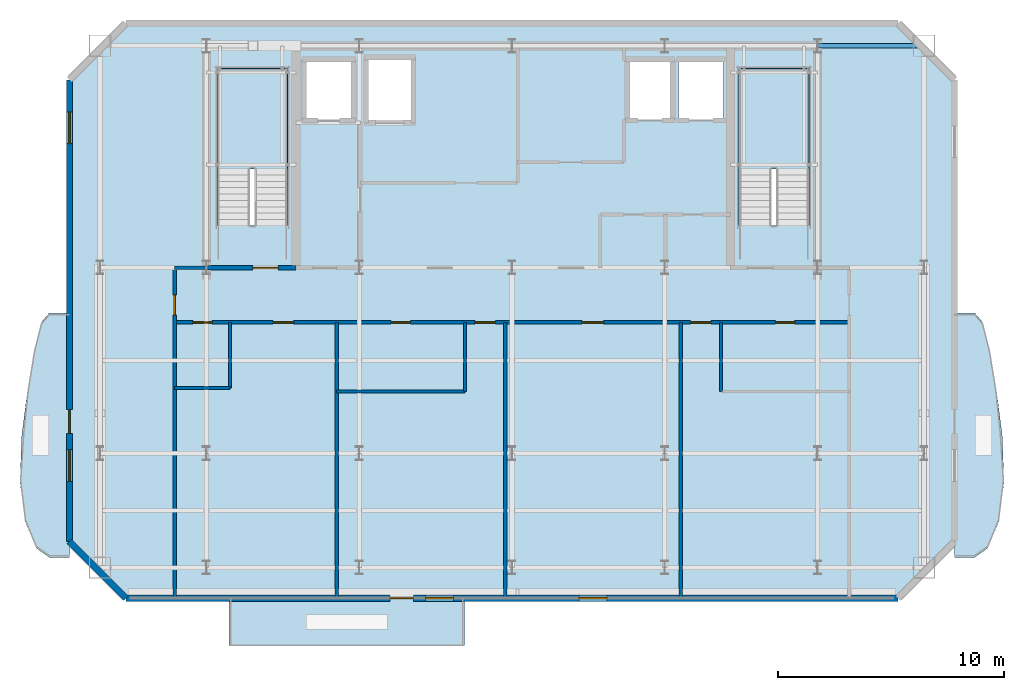
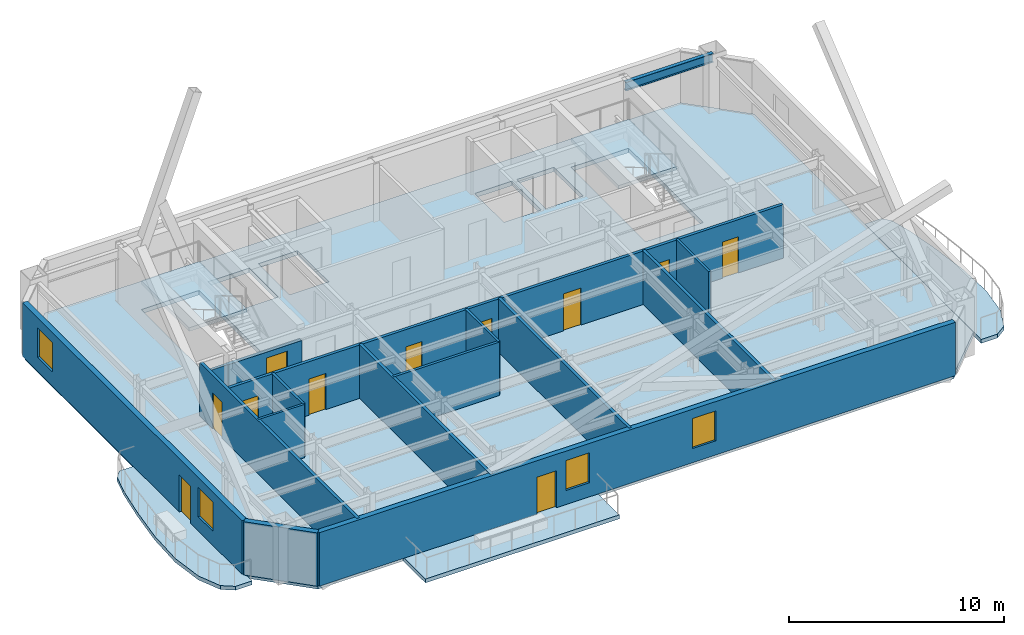
# One storey, part 2 of 7: 15 walls, 11 doors, 6 slabs, 4 windows, 1 beam, 15 openings, 2 elements without a shape of their own.
"""IFC4 building model written with IfcOpenShell, lengths in metres."""

from ifc_helpers import new_model, si_unit, direction, frame, frame_2d, origin, origin_2d, place, context, subcontext, project, spatial, polyline, rectangle, i_section, outline, extrude, material, layer, layer_set, material_profile, profile_set, type_object, element, fill, aggregate, save


model = new_model("IFC4")

# Units and contexts
model_context = context("Model", 3, precision=1e-05, world=origin(), true_north=direction((0.0, 1.0)))
body_context = subcontext(model_context, "Body", "Model", "MODEL_VIEW")
ifc_project = project(units=[si_unit("LENGTHUNIT", "METRE"), si_unit("AREAUNIT", "SQUARE_METRE"), si_unit("VOLUMEUNIT", "CUBIC_METRE"), si_unit("PLANEANGLEUNIT", "RADIAN"), si_unit("MASSUNIT", "GRAM", prefix="KILO")], contexts=[model_context])

# Site, building, storey
site_placement = place(None, origin())
site = spatial("IfcSite", under=ifc_project, at=site_placement, CompositionType="ELEMENT")
building_placement = place(site_placement, origin())
building = spatial("IfcBuilding", under=site, at=building_placement, Name="Haevon Station Towers", CompositionType="ELEMENT")
storey_placement = place(building_placement, frame((0.0, 0.0, 259.199951171875)))
storey = spatial("IfcBuildingStorey", under=building, at=storey_placement, Name="L72", CompositionType="ELEMENT", Elevation=259.199951171875)

# Beam
ifc_material_1 = material(Name="Steel S355", Category="steel")
ifc_material_profile = material_profile(ifc_material_1, i_section(OverallWidth=0.199951171875, OverallDepth=0.5, WebThickness=0.010009765625, FlangeThickness=0.01611328125, at=origin_2d()), Name="H-500x200x10x16")
ifc_profile_set = profile_set([ifc_material_profile], Name="Steel S355")
beam_type = type_object("IfcBeamType", Name="BM-SP500", PredefinedType="SPANDREL", material=ifc_profile_set)
beam_placement = place(storey_placement, frame((51.0, 48.0, 2.800048828125), z_axis=(1.0, 0.0, 0.0), x_axis=(0.0, 1.0, 0.0)))
element("IfcBeam", 1, at=beam_placement, inside=storey, type_object=beam_type, Name="BM-T1U-L72-04-06", PredefinedType="SPANDREL", context=body_context, shape_type="SweptSolid", body=[
    extrude(i_section(OverallWidth=0.199951171875, OverallDepth=0.5, WebThickness=0.010009765625, FlangeThickness=0.01611328125, at=origin_2d()), origin(), (0.0, 0.0, 1.0), 4.699951171875),
])

# Slabs
ifc_material_2 = material(Name="Concrete C40/50", Category="concrete")
ifc_layer_1 = layer(ifc_material_2, 0.219970703125)
ifc_layer_set_1 = layer_set([ifc_layer_1], Name="Concrete C40/50")
slab_type_1 = type_object("IfcSlabType", Name="SL-BALC220", PredefinedType="FLOOR", material=ifc_layer_set_1)
slab_1_placement = place(storey_placement, frame((0.0, 0.0, -0.219970703125)))
element("IfcSlab", 2, at=slab_1_placement, inside=storey, type_object=slab_type_1, Name="Tower 1 L72 West SCALLOPED BALCONY", PredefinedType="FLOOR", context=body_context, shape_type="SweptSolid", body=[
    extrude(outline(polyline([(17.945068359375, 36.199951171875), (17.06298828125, 36.199951171875), (16.712158203125, 35.7890625), (16.412353515625, 34.618408203125), (16.109130859375, 32.866455078125), (15.844970703125, 30.800048828125), (15.76611328125, 28.7333984375), (15.9912109375, 26.981689453125), (16.481689453125, 25.81103515625), (17.06298828125, 25.39990234375), (17.945068359375, 25.39990234375), (17.945068359375, 36.199951171875)])), origin(), (0.0, 0.0, 1.0), 0.219970703125),
])
slab_2_placement = place(storey_placement, frame((0.0, 0.0, -0.219970703125)))
element("IfcSlab", 3, at=slab_2_placement, inside=storey, type_object=slab_type_1, Name="Tower 1 L72 East SCALLOPED BALCONY", PredefinedType="FLOOR", context=body_context, shape_type="SweptSolid", body=[
    extrude(outline(polyline([(57.054931640625, 25.39990234375), (57.93701171875, 25.39990234375), (58.518310546875, 25.81103515625), (59.0087890625, 26.981689453125), (59.23388671875, 28.7333984375), (59.155029296875, 30.800048828125), (58.890869140625, 32.866455078125), (58.587646484375, 34.618408203125), (58.287841796875, 35.7890625), (57.93701171875, 36.199951171875), (57.054931640625, 36.199951171875), (57.054931640625, 25.39990234375)])), origin(), (0.0, 0.0, 1.0), 0.219970703125),
])
slab_3_placement = place(storey_placement, frame((0.0, 0.0, -0.219970703125)))
element("IfcSlab", 4, at=slab_3_placement, inside=storey, type_object=slab_type_1, Name="Tower 1 L72 Planted Balcony Band", PredefinedType="FLOOR", context=body_context, shape_type="SweptSolid", body=[
    extrude(outline(polyline([(25.0, 21.5), (35.39990234375, 21.5), (35.39990234375, 23.594970703125), (25.0, 23.594970703125), (25.0, 21.5)])), origin(), (0.0, 0.0, 1.0), 0.219970703125),
])

# Stair, slab
stair_type = type_object("IfcStairType", Name="STR-DL1450", PredefinedType="USERDEFINED", material=ifc_material_2)
stair_1_placement = place(storey_placement, origin())
stair_1 = element("IfcStair", 5, at=stair_1_placement, inside=storey, type_object=stair_type, Name="L72 Escape Stair ST1", ObjectType="TWO_RETURN_STAIR", PredefinedType="USERDEFINED")
ifc_layer_2 = layer(ifc_material_2, 0.199951171875)
ifc_layer_set_2 = layer_set([ifc_layer_2], Name="Concrete C40/50")
slab_type_2 = type_object("IfcSlabType", Name="SL-LND200", PredefinedType="LANDING", material=ifc_layer_set_2)
slab_4_placement = place(storey_placement, frame((0.0, 0.0, 1.449951171875)))
slab_4 = element("IfcSlab", 6, at=slab_4_placement, type_object=slab_type_2, Name="L72 ST1 Half Landing 1", PredefinedType="LANDING", context=body_context, shape_type="SweptSolid", body=[
    extrude(outline(polyline([(27.580078125, 42.56396484375), (27.580078125, 47.0), (24.47998046875, 47.0), (24.47998046875, 42.56396484375), (27.580078125, 42.56396484375)])), origin(), (0.0, 0.0, 1.0), 0.2001953125),
])
aggregate(stair_1, [slab_4])

stair_2_placement = place(storey_placement, origin())
stair_2 = element("IfcStair", 7, at=stair_2_placement, inside=storey, type_object=stair_type, Name="L72 Escape Stair ST2", ObjectType="TWO_RETURN_STAIR", PredefinedType="USERDEFINED")
slab_5_placement = place(storey_placement, frame((0.0, 0.0, 1.449951171875)))
slab_5 = element("IfcSlab", 8, at=slab_5_placement, type_object=slab_type_2, Name="L72 ST2 Half Landing 1", PredefinedType="LANDING", context=body_context, shape_type="SweptSolid", body=[
    extrude(outline(polyline([(50.6201171875, 42.56396484375), (50.6201171875, 47.0), (47.52001953125, 47.0), (47.52001953125, 42.56396484375), (50.6201171875, 42.56396484375)])), origin(), (0.0, 0.0, 1.0), 0.2001953125),
])
aggregate(stair_2, [slab_5])

# Slab
ifc_layer_3 = layer(ifc_material_2, 0.25)
ifc_layer_set_3 = layer_set([ifc_layer_3], Name="Concrete C40/50")
slab_type_3 = type_object("IfcSlabType", Name="SL-TW250", PredefinedType="FLOOR", material=ifc_layer_set_3)
slab_6_placement = place(storey_placement, frame((0.0, 0.0, -0.25)))
element("IfcSlab", 9, at=slab_6_placement, inside=storey, type_object=slab_type_3, Name="SL-T1-L72", PredefinedType="FLOOR", context=body_context, shape_type="SweptSolid", body=[
    extrude(outline(polyline([(20.449951171875, 23.60009765625), (54.550048828125, 23.60009765625), (57.050048828125, 26.10009765625), (57.050048828125, 46.5), (54.550048828125, 49.0), (20.449951171875, 49.0), (17.949951171875, 46.5), (17.949951171875, 26.10009765625), (20.449951171875, 23.60009765625)]), holes=[polyline([(27.580078125, 40.055908203125), (27.580078125, 47.0), (24.47998046875, 47.0), (24.47998046875, 40.055908203125), (27.580078125, 40.055908203125)]), polyline([(50.6201171875, 40.055908203125), (50.6201171875, 47.0), (47.52001953125, 47.0), (47.52001953125, 40.055908203125), (50.6201171875, 40.055908203125)]), polyline([(28.300048828125, 44.699951171875), (30.5, 44.699951171875), (30.5, 47.39990234375), (28.300048828125, 47.39990234375), (28.300048828125, 44.699951171875)]), polyline([(31.050048828125, 44.60009765625), (33.14990234375, 44.60009765625), (33.14990234375, 47.5), (31.050048828125, 47.5), (31.050048828125, 44.60009765625)]), polyline([(42.60009765625, 44.699951171875), (44.60009765625, 44.699951171875), (44.60009765625, 47.39990234375), (42.60009765625, 47.39990234375), (42.60009765625, 44.699951171875)]), polyline([(44.85009765625, 44.699951171875), (46.85009765625, 44.699951171875), (46.85009765625, 47.39990234375), (44.85009765625, 47.39990234375), (44.85009765625, 44.699951171875)])]), origin(), (0.0, 0.0, 1.0), 0.25),
])

# Wall, opening, door
ifc_material_3 = material(Name="Gypsum board on steel stud", Category="steel")
ifc_layer_4 = layer(ifc_material_3, 0.199951171875)
ifc_layer_set_4 = layer_set([ifc_layer_4], Name="Gypsum board on steel stud")
wall_type_1 = type_object("IfcWallType", Name="WL-COR200", PredefinedType="PARTITIONING", material=ifc_layer_set_4)
wall_1_placement = place(storey_placement, frame((24.0, 38.199951171875, 0.0), z_axis=(0.0, 0.0, 1.0), x_axis=(1.0, 0.0, 0.0)))
wall_1 = element("IfcWall", 10, at=wall_1_placement, inside=storey, type_object=wall_type_1, Name="WL-ST-ST1-L72", PredefinedType="PARTITIONING", context=body_context, shape_type="SweptSolid", body=[
    extrude(rectangle(XDim=3.949951171875, YDim=0.199951171875, at=frame_2d((1.97509765625, 0.0))), origin(), (0.0, 0.0, 1.0), 2.429931640625),
])
opening_1_placement = place(wall_1_placement, frame((2.050048828125, 0.0, 0.0)))
opening_1 = element("IfcOpeningElement", 11, at=opening_1_placement, cuts=wall_1, Name="Opening DR-ST-ST1-L72", PredefinedType="OPENING", context=body_context, shape_type="SweptSolid", body=[
    extrude(rectangle(XDim=1.1201171875, YDim=2.10009765625, at=frame_2d((0.56005859375, 1.050048828125))), frame((0.0, 0.10986328125, 0.0), z_axis=(0.0, -1.0, 0.0), x_axis=(1.0, 0.0, 0.0)), (0.0, 0.0, 1.0), 0.219970703125),
])
ifc_material_4 = material(Name="Engineered oak timber", Category="wood")
door_type_1 = type_object("IfcDoorType", Name="DR-ST-1120", OperationType="NOTDEFINED", PredefinedType="DOOR", material=ifc_material_4)
door_1_placement = place(opening_1_placement, origin())
door_1 = element("IfcDoor", 12, at=door_1_placement, inside=storey, type_object=door_type_1, Name="L72 Escape Stair ST1 Fire Door", OperationType="SINGLE_SWING_RIGHT", OverallHeight=2.10009765625, OverallWidth=1.1201171875, PredefinedType="DOOR", context=body_context, shape_type="SweptSolid", body=[
    extrude(rectangle(XDim=1.1201171875, YDim=2.10009765625, at=frame_2d((0.56005859375, 1.050048828125))), frame((0.0, 0.02490234375, 0.0), z_axis=(0.0, -1.0, 0.0), x_axis=(1.0, 0.0, 0.0)), (0.0, 0.0, 1.0), 0.050048828125),
])
fill(opening_1, door_1)

# Wall, openings, door, windows
ifc_material_5 = material(Name="Precast concrete C45/55", Category="concrete")
ifc_layer_5 = layer(ifc_material_5, 0.280029296875)
ifc_layer_set_5 = layer_set([ifc_layer_5], Name="Precast concrete C45/55")
wall_type_2 = type_object("IfcWallType", Name="WL-EXT-PIER280", PredefinedType="SOLIDWALL", material=ifc_layer_set_5)
wall_2_placement = place(storey_placement, frame((54.550048828125, 23.60009765625, 0.0), z_axis=(0.0, 0.0, 1.0), x_axis=(-1.0, 0.0, 0.0)))
wall_2 = element("IfcWall", 13, at=wall_2_placement, inside=storey, type_object=wall_type_2, Name="WL-T1-L72-S", PredefinedType="SOLIDWALL", context=body_context, shape_type="SweptSolid", body=[
    extrude(rectangle(XDim=34.10009765625, YDim=0.280029296875, at=frame_2d((17.050048828125, 0.0))), origin(), (0.0, 0.0, 1.0), 3.030029296875),
])
opening_2_placement = place(wall_2_placement, frame((21.39892578125, 0.0, 0.0)))
opening_2 = element("IfcOpeningElement", 14, at=opening_2_placement, cuts=wall_2, Name="Opening DR-T1-PBAND-L72-1", PredefinedType="OPENING", context=body_context, shape_type="SweptSolid", body=[
    extrude(rectangle(XDim=1.050048828125, YDim=2.10009765625, at=frame_2d((0.52490234375, 1.050048828125))), frame((0.0, 0.14990234375, 0.0), z_axis=(0.0, -1.0, 0.0), x_axis=(1.0, 0.0, 0.0)), (0.0, 0.0, 1.0), 0.300048828125),
])
opening_3_placement = place(wall_2_placement, frame((19.632080078125, 0.0, 0.800048828125)))
opening_3 = element("IfcOpeningElement", 15, at=opening_3_placement, cuts=wall_2, Name="Opening WN-P125", PredefinedType="OPENING", context=body_context, shape_type="SweptSolid", body=[
    extrude(rectangle(XDim=1.25, YDim=1.699951171875, at=frame_2d((0.625, 0.85009765625))), frame((0.0, 0.14990234375, 0.0), z_axis=(0.0, -1.0, 0.0), x_axis=(1.0, 0.0, 0.0)), (0.0, 0.0, 1.0), 0.300048828125),
])
opening_4_placement = place(wall_2_placement, frame((12.84912109375, 0.0, 0.800048828125)))
opening_4 = element("IfcOpeningElement", 16, at=opening_4_placement, cuts=wall_2, Name="Opening WN-P125", PredefinedType="OPENING", context=body_context, shape_type="SweptSolid", body=[
    extrude(rectangle(XDim=1.25, YDim=1.699951171875, at=frame_2d((0.625, 0.85009765625))), frame((0.0, 0.14990234375, 0.0), z_axis=(0.0, -1.0, 0.0), x_axis=(1.0, 0.0, 0.0)), (0.0, 0.0, 1.0), 0.300048828125),
])
ifc_material_6 = material(Name="Thermally broken anodised aluminium and laminated safety glass", Category="aluminium")
door_type_2 = type_object("IfcDoorType", Name="DR-BALC-1050", OperationType="NOTDEFINED", PredefinedType="DOOR", material=ifc_material_6)
door_2_placement = place(opening_2_placement, origin())
door_2 = element("IfcDoor", 17, at=door_2_placement, inside=storey, type_object=door_type_2, Name="Tower 1 L72 Balcony Terrace Door", OperationType="SINGLE_SWING_RIGHT", OverallHeight=2.10009765625, OverallWidth=1.050048828125, PredefinedType="DOOR", context=body_context, shape_type="SweptSolid", body=[
    extrude(rectangle(XDim=1.050048828125, YDim=2.10009765625, at=frame_2d((0.52490234375, 1.050048828125))), frame((0.0, 0.02490234375, 0.0), z_axis=(0.0, -1.0, 0.0), x_axis=(1.0, 0.0, 0.0)), (0.0, 0.0, 1.0), 0.050048828125),
])
fill(opening_2, door_2)
ifc_material_7 = material(Name="Low-E triple glazing in thermally broken aluminium", Category="aluminium")
window_type_1 = type_object("IfcWindowType", Name="WN-P125", PartitioningType="SINGLE_PANEL", PredefinedType="WINDOW", material=ifc_material_7)
window_1_placement = place(opening_3_placement, origin())
window_1 = element("IfcWindow", 18, at=window_1_placement, inside=storey, type_object=window_type_1, Name="WN-T1-L72-S01", OverallHeight=1.699951171875, OverallWidth=1.25, PartitioningType="SINGLE_PANEL", PredefinedType="WINDOW", context=body_context, shape_type="SweptSolid", body=[
    extrude(rectangle(XDim=1.25, YDim=1.699951171875, at=frame_2d((0.625, 0.85009765625))), frame((0.0, 0.030029296875, 0.0), z_axis=(0.0, -1.0, 0.0), x_axis=(1.0, 0.0, 0.0)), (0.0, 0.0, 1.0), 0.06005859375),
])
fill(opening_3, window_1)
window_2_placement = place(opening_4_placement, origin())
window_2 = element("IfcWindow", 19, at=window_2_placement, inside=storey, type_object=window_type_1, Name="WN-T1-L72-S02", OverallHeight=1.699951171875, OverallWidth=1.25, PartitioningType="SINGLE_PANEL", PredefinedType="WINDOW", context=body_context, shape_type="SweptSolid", body=[
    extrude(rectangle(XDim=1.25, YDim=1.699951171875, at=frame_2d((0.625, 0.85009765625))), frame((0.0, 0.030029296875, 0.0), z_axis=(0.0, -1.0, 0.0), x_axis=(1.0, 0.0, 0.0)), (0.0, 0.0, 1.0), 0.06005859375),
])
fill(opening_4, window_2)

# Wall
wall_3_placement = place(storey_placement, frame((20.449951171875, 23.60009765625, 0.0), z_axis=(0.0, 0.0, 1.0), x_axis=(-0.707106781187, 0.707106781187, 0.0)))
element("IfcWall", 20, at=wall_3_placement, inside=storey, type_object=wall_type_2, Name="WL-T1-L72-SWC", PredefinedType="SOLIDWALL", context=body_context, shape_type="SweptSolid", body=[
    extrude(rectangle(XDim=3.53564453125, YDim=0.280029296875, at=frame_2d((1.767822265625, 0.0))), origin(), (0.0, 0.0, 1.0), 3.030029296875),
])

# Wall, openings, door, windows
wall_4_placement = place(storey_placement, frame((17.949951171875, 26.10009765625, 0.0), z_axis=(0.0, 0.0, 1.0), x_axis=(0.0, 1.0, 0.0)))
wall_4 = element("IfcWall", 21, at=wall_4_placement, inside=storey, type_object=wall_type_2, Name="WL-T1-L72-W", PredefinedType="SOLIDWALL", context=body_context, shape_type="SweptSolid", body=[
    extrude(rectangle(XDim=20.39990234375, YDim=0.280029296875, at=frame_2d((10.199951171875, 0.0))), origin(), (0.0, 0.0, 1.0), 3.030029296875),
])
opening_5_placement = place(wall_4_placement, frame((4.77490234375, 0.0, 0.0)))
opening_5 = element("IfcOpeningElement", 22, at=opening_5_placement, cuts=wall_4, Name="Opening DR-T1-SCAL-L72-W", PredefinedType="OPENING", context=body_context, shape_type="SweptSolid", body=[
    extrude(rectangle(XDim=1.050048828125, YDim=2.10009765625, at=frame_2d((0.52490234375, 1.050048828125))), frame((0.0, 0.14990234375, 0.0), z_axis=(0.0, -1.0, 0.0), x_axis=(1.0, 0.0, 0.0)), (0.0, 0.0, 1.0), 0.300048828125),
])
opening_6_placement = place(wall_4_placement, frame((2.664306640625, 0.0, 0.800048828125)))
opening_6 = element("IfcOpeningElement", 23, at=opening_6_placement, cuts=wall_4, Name="Opening WN-END140", PredefinedType="OPENING", context=body_context, shape_type="SweptSolid", body=[
    extrude(rectangle(XDim=1.39990234375, YDim=1.64990234375, at=frame_2d((0.699951171875, 0.824951171875))), frame((0.0, 0.14990234375, 0.0), z_axis=(0.0, -1.0, 0.0), x_axis=(1.0, 0.0, 0.0)), (0.0, 0.0, 1.0), 0.300048828125),
])
opening_7_placement = place(wall_4_placement, frame((17.57861328125, 0.0, 0.800048828125)))
opening_7 = element("IfcOpeningElement", 24, at=opening_7_placement, cuts=wall_4, Name="Opening WN-END140", PredefinedType="OPENING", context=body_context, shape_type="SweptSolid", body=[
    extrude(rectangle(XDim=1.39990234375, YDim=1.64990234375, at=frame_2d((0.699951171875, 0.824951171875))), frame((0.0, 0.14990234375, 0.0), z_axis=(0.0, -1.0, 0.0), x_axis=(1.0, 0.0, 0.0)), (0.0, 0.0, 1.0), 0.300048828125),
])
door_3_placement = place(opening_5_placement, origin())
door_3 = element("IfcDoor", 25, at=door_3_placement, inside=storey, type_object=door_type_2, Name="Tower 1 L72 West Scalloped Balcony Door", OperationType="SINGLE_SWING_LEFT", OverallHeight=2.10009765625, OverallWidth=1.050048828125, PredefinedType="DOOR", context=body_context, shape_type="SweptSolid", body=[
    extrude(rectangle(XDim=1.050048828125, YDim=2.10009765625, at=frame_2d((0.52490234375, 1.050048828125))), frame((0.0, 0.02490234375, 0.0), z_axis=(0.0, -1.0, 0.0), x_axis=(1.0, 0.0, 0.0)), (0.0, 0.0, 1.0), 0.050048828125),
])
fill(opening_5, door_3)
window_type_2 = type_object("IfcWindowType", Name="WN-END140", PartitioningType="SINGLE_PANEL", PredefinedType="WINDOW", material=ifc_material_7)
window_3_placement = place(opening_6_placement, origin())
window_3 = element("IfcWindow", 26, at=window_3_placement, inside=storey, type_object=window_type_2, Name="WN-T1-L72-W01", OverallHeight=1.64990234375, OverallWidth=1.39990234375, PartitioningType="SINGLE_PANEL", PredefinedType="WINDOW", context=body_context, shape_type="SweptSolid", body=[
    extrude(rectangle(XDim=1.39990234375, YDim=1.64990234375, at=frame_2d((0.699951171875, 0.824951171875))), frame((0.0, 0.030029296875, 0.0), z_axis=(0.0, -1.0, 0.0), x_axis=(1.0, 0.0, 0.0)), (0.0, 0.0, 1.0), 0.06005859375),
])
fill(opening_6, window_3)
window_4_placement = place(opening_7_placement, origin())
window_4 = element("IfcWindow", 27, at=window_4_placement, inside=storey, type_object=window_type_2, Name="WN-T1-L72-W02", OverallHeight=1.64990234375, OverallWidth=1.39990234375, PartitioningType="SINGLE_PANEL", PredefinedType="WINDOW", context=body_context, shape_type="SweptSolid", body=[
    extrude(rectangle(XDim=1.39990234375, YDim=1.64990234375, at=frame_2d((0.699951171875, 0.824951171875))), frame((0.0, 0.030029296875, 0.0), z_axis=(0.0, -1.0, 0.0), x_axis=(1.0, 0.0, 0.0)), (0.0, 0.0, 1.0), 0.06005859375),
])
fill(opening_7, window_4)

# Walls
ifc_layer_6 = layer(ifc_material_3, 0.125)
ifc_layer_set_6 = layer_set([ifc_layer_6], Name="Gypsum board on steel stud")
wall_type_3 = type_object("IfcWallType", Name="WL-PRT125", PredefinedType="PARTITIONING", material=ifc_layer_set_6)
wall_5_placement = place(storey_placement, frame((22.60009765625, 32.8798828125, 0.0), z_axis=(0.0, 0.0, 1.0), x_axis=(1.0, 0.0, 0.0)))
element("IfcWall", 28, at=wall_5_placement, inside=storey, type_object=wall_type_3, Name="WL-T1PT-L72-05", PredefinedType="PARTITIONING", context=body_context, shape_type="SweptSolid", body=[
    extrude(rectangle(XDim=2.449951171875, YDim=0.125, at=frame_2d((1.22509765625, 0.0))), origin(), (0.0, 0.0, 1.0), 3.030029296875),
])
for number, where, z_axis, x_axis, name in (
    (29, (35.422119140625, 32.72998046875, 0.0), (0.0, 0.0, 1.0), (0.0, 1.0, 0.0), "WL-T1PT-L72-09"),
    (30, (46.72998046875, 32.72998046875, 0.0), (0.0, 0.0, 1.0), (0.0, 1.0, 0.0), "WL-T1PT-L72-13"),
):
    element("IfcWall", number, at=place(storey_placement, frame(where, z_axis=z_axis, x_axis=x_axis)), inside=storey, type_object=wall_type_3, Name=name, PredefinedType="PARTITIONING", context=body_context, shape_type="SweptSolid", body=[
        extrude(rectangle(XDim=3.050048828125, YDim=0.125, at=frame_2d((1.52490234375, 0.0))), origin(), (0.0, 0.0, 1.0), 3.030029296875),
    ])
ifc_layer_7 = layer(ifc_material_3, 0.139892578125)
ifc_layer_set_7 = layer_set([ifc_layer_7], Name="Gypsum board on steel stud")
wall_type_4 = type_object("IfcWallType", Name="WL-PRT140", PredefinedType="PARTITIONING", material=ifc_layer_set_7)
wall_6_placement = place(storey_placement, frame((25.050048828125, 32.8798828125, 0.0), z_axis=(0.0, 0.0, 1.0), x_axis=(0.0, 1.0, 0.0)))
element("IfcWall", 31, at=wall_6_placement, inside=storey, type_object=wall_type_4, Name="WL-T1PT-L72-06", PredefinedType="PARTITIONING", context=body_context, shape_type="SweptSolid", body=[
    extrude(rectangle(XDim=2.900146484375, YDim=0.139892578125, at=frame_2d((1.4501953125, 0.0))), origin(), (0.0, 0.0, 1.0), 3.030029296875),
])
wall_7_placement = place(storey_placement, frame((29.751953125, 32.72998046875, 0.0), z_axis=(0.0, 0.0, 1.0), x_axis=(1.0, 0.0, 0.0)))
element("IfcWall", 32, at=wall_7_placement, inside=storey, type_object=wall_type_4, Name="WL-T1PT-L72-08", PredefinedType="PARTITIONING", context=body_context, shape_type="SweptSolid", body=[
    extrude(rectangle(XDim=5.670166015625, YDim=0.139892578125, at=frame_2d((2.8349609375, 0.0))), origin(), (0.0, 0.0, 1.0), 3.030029296875),
])
ifc_layer_8 = layer(ifc_material_3, 0.159912109375)
ifc_layer_set_8 = layer_set([ifc_layer_8], Name="Gypsum board on steel stud")
wall_type_5 = type_object("IfcWallType", Name="WL-PRT160", PredefinedType="PARTITIONING", material=ifc_layer_set_8)
wall_8_placement = place(storey_placement, frame((22.60009765625, 38.199951171875, 0.0), z_axis=(0.0, 0.0, 1.0), x_axis=(1.0, 0.0, 0.0)))
element("IfcWall", 33, at=wall_8_placement, inside=storey, type_object=wall_type_5, Name="WL-T1PT-L72-01", PredefinedType="PARTITIONING", context=body_context, shape_type="SweptSolid", body=[
    extrude(rectangle(XDim=1.39990234375, YDim=0.159912109375, at=frame_2d((0.699951171875, 0.0))), origin(), (0.0, 0.0, 1.0), 2.429931640625),
])

# Wall, opening, door
wall_9_placement = place(storey_placement, frame((22.60009765625, 23.60009765625, 0.0), z_axis=(0.0, 0.0, 1.0), x_axis=(0.0, 1.0, 0.0)))
wall_9 = element("IfcWall", 34, at=wall_9_placement, inside=storey, type_object=wall_type_5, Name="WL-T1PT-L72-03", PredefinedType="PARTITIONING", context=body_context, shape_type="SweptSolid", body=[
    extrude(rectangle(XDim=14.599853515625, YDim=0.159912109375, at=frame_2d((7.2998046875, 0.0))), origin(), (0.0, 0.0, 1.0), 3.030029296875),
])
opening_8_placement = place(wall_9_placement, frame((12.5, 0.0, 0.0)))
opening_8 = element("IfcOpeningElement", 35, at=opening_8_placement, cuts=wall_9, Name="Opening DR-WL-T1PT-L72-03-01", PredefinedType="OPENING", context=body_context, shape_type="SweptSolid", body=[
    extrude(rectangle(XDim=0.89990234375, YDim=2.050048828125, at=frame_2d((0.449951171875, 1.02490234375))), frame((0.0, 0.08984375, 0.0), z_axis=(0.0, -1.0, 0.0), x_axis=(1.0, 0.0, 0.0)), (0.0, 0.0, 1.0), 0.179931640625),
])
door_type_3 = type_object("IfcDoorType", Name="DR-INT-900", OperationType="NOTDEFINED", PredefinedType="DOOR", material=ifc_material_4)
door_4_placement = place(opening_8_placement, origin())
door_4 = element("IfcDoor", 36, at=door_4_placement, inside=storey, type_object=door_type_3, Name="L72 Tower 1 Room Door 3-1", OperationType="SINGLE_SWING_LEFT", OverallHeight=2.050048828125, OverallWidth=0.89990234375, PredefinedType="DOOR", context=body_context, shape_type="SweptSolid", body=[
    extrude(rectangle(XDim=0.89990234375, YDim=2.050048828125, at=frame_2d((0.449951171875, 1.02490234375))), frame((0.0, 0.02490234375, 0.0), z_axis=(0.0, -1.0, 0.0), x_axis=(1.0, 0.0, 0.0)), (0.0, 0.0, 1.0), 0.050048828125),
])
fill(opening_8, door_4)

# Walls
for number, where, z_axis, x_axis, name in (
    (37, (29.751953125, 23.60009765625, 0.0), (0.0, 0.0, 1.0), (0.0, 1.0, 0.0), "WL-T1PT-L72-07"),
    (38, (37.201904296875, 23.60009765625, 0.0), (0.0, 0.0, 1.0), (0.0, 1.0, 0.0), "WL-T1PT-L72-10"),
    (39, (44.949951171875, 23.60009765625, 0.0), (0.0, 0.0, 1.0), (0.0, 1.0, 0.0), "WL-T1PT-L72-11"),
):
    element("IfcWall", number, at=place(storey_placement, frame(where, z_axis=z_axis, x_axis=x_axis)), inside=storey, type_object=wall_type_5, Name=name, PredefinedType="PARTITIONING", context=body_context, shape_type="SweptSolid", body=[
        extrude(rectangle(XDim=12.179931640625, YDim=0.159912109375, at=frame_2d((6.08984375, 0.0))), origin(), (0.0, 0.0, 1.0), 3.030029296875),
    ])

# Wall, openings, doors
wall_10_placement = place(storey_placement, frame((22.60009765625, 35.780029296875, 0.0), z_axis=(0.0, 0.0, 1.0), x_axis=(1.0, 0.0, 0.0)))
wall_10 = element("IfcWall", 40, at=wall_10_placement, inside=storey, type_object=wall_type_5, Name="WL-T1PT-L72-14", PredefinedType="PARTITIONING", context=body_context, shape_type="SweptSolid", body=[
    extrude(rectangle(XDim=29.7998046875, YDim=0.159912109375, at=frame_2d((14.89990234375, 0.0))), origin(), (0.0, 0.0, 1.0), 3.030029296875),
])
opening_9_placement = place(wall_10_placement, frame((0.800048828125, 0.0, 0.0)))
opening_9 = element("IfcOpeningElement", 41, at=opening_9_placement, cuts=wall_10, Name="Opening DR-WL-T1PT-L72-14-01", PredefinedType="OPENING", context=body_context, shape_type="SweptSolid", body=[
    extrude(rectangle(XDim=0.85009765625, YDim=2.050048828125, at=frame_2d((0.425048828125, 1.02490234375))), frame((0.0, 0.08984375, 0.0), z_axis=(0.0, -1.0, 0.0), x_axis=(1.0, 0.0, 0.0)), (0.0, 0.0, 1.0), 0.179931640625),
])
opening_10_placement = place(wall_10_placement, frame((4.35107421875, 0.0, 0.0)))
opening_10 = element("IfcOpeningElement", 42, at=opening_10_placement, cuts=wall_10, Name="Opening DR-WL-T1PT-L72-14-02", PredefinedType="OPENING", context=body_context, shape_type="SweptSolid", body=[
    extrude(rectangle(XDim=0.89990234375, YDim=2.050048828125, at=frame_2d((0.449951171875, 1.02490234375))), frame((0.0, 0.08984375, 0.0), z_axis=(0.0, -1.0, 0.0), x_axis=(1.0, 0.0, 0.0)), (0.0, 0.0, 1.0), 0.179931640625),
])
opening_11_placement = place(wall_10_placement, frame((9.56201171875, 0.0, 0.0)))
opening_11 = element("IfcOpeningElement", 43, at=opening_11_placement, cuts=wall_10, Name="Opening DR-WL-T1PT-L72-14-03", PredefinedType="OPENING", context=body_context, shape_type="SweptSolid", body=[
    extrude(rectangle(XDim=0.85009765625, YDim=2.050048828125, at=frame_2d((0.425048828125, 1.02490234375))), frame((0.0, 0.08984375, 0.0), z_axis=(0.0, -1.0, 0.0), x_axis=(1.0, 0.0, 0.0)), (0.0, 0.0, 1.0), 0.179931640625),
])
opening_12_placement = place(wall_10_placement, frame((13.261962890625, 0.0, 0.0)))
opening_12 = element("IfcOpeningElement", 44, at=opening_12_placement, cuts=wall_10, Name="Opening DR-WL-T1PT-L72-14-04", PredefinedType="OPENING", context=body_context, shape_type="SweptSolid", body=[
    extrude(rectangle(XDim=0.89990234375, YDim=2.050048828125, at=frame_2d((0.449951171875, 1.02490234375))), frame((0.0, 0.08984375, 0.0), z_axis=(0.0, -1.0, 0.0), x_axis=(1.0, 0.0, 0.0)), (0.0, 0.0, 1.0), 0.179931640625),
])
opening_13_placement = place(wall_10_placement, frame((18.0009765625, 0.0, 0.0)))
opening_13 = element("IfcOpeningElement", 45, at=opening_13_placement, cuts=wall_10, Name="Opening DR-WL-T1PT-L72-14-05", PredefinedType="OPENING", context=body_context, shape_type="SweptSolid", body=[
    extrude(rectangle(XDim=0.949951171875, YDim=2.10009765625, at=frame_2d((0.47509765625, 1.050048828125))), frame((0.0, 0.08984375, 0.0), z_axis=(0.0, -1.0, 0.0), x_axis=(1.0, 0.0, 0.0)), (0.0, 0.0, 1.0), 0.179931640625),
])
opening_14_placement = place(wall_10_placement, frame((26.5400390625, 0.0, 0.0)))
opening_14 = element("IfcOpeningElement", 46, at=opening_14_placement, cuts=wall_10, Name="Opening DR-WL-T1PT-L72-14-06", PredefinedType="OPENING", context=body_context, shape_type="SweptSolid", body=[
    extrude(rectangle(XDim=0.85009765625, YDim=2.050048828125, at=frame_2d((0.425048828125, 1.02490234375))), frame((0.0, 0.08984375, 0.0), z_axis=(0.0, -1.0, 0.0), x_axis=(1.0, 0.0, 0.0)), (0.0, 0.0, 1.0), 0.179931640625),
])
opening_15_placement = place(wall_10_placement, frame((22.7900390625, 0.0, 0.0)))
opening_15 = element("IfcOpeningElement", 47, at=opening_15_placement, cuts=wall_10, Name="Opening DR-WL-T1PT-L72-14-07", PredefinedType="OPENING", context=body_context, shape_type="SweptSolid", body=[
    extrude(rectangle(XDim=0.89990234375, YDim=2.050048828125, at=frame_2d((0.449951171875, 1.02490234375))), frame((0.0, 0.08984375, 0.0), z_axis=(0.0, -1.0, 0.0), x_axis=(1.0, 0.0, 0.0)), (0.0, 0.0, 1.0), 0.179931640625),
])
door_type_4 = type_object("IfcDoorType", Name="DR-FD30-850", OperationType="NOTDEFINED", PredefinedType="DOOR", material=ifc_material_4)
door_5_placement = place(opening_9_placement, origin())
door_5 = element("IfcDoor", 48, at=door_5_placement, inside=storey, type_object=door_type_4, Name="L72 Tower 1 Room Door 14-1", OperationType="SINGLE_SWING_LEFT", OverallHeight=2.050048828125, OverallWidth=0.85009765625, PredefinedType="DOOR", context=body_context, shape_type="SweptSolid", body=[
    extrude(rectangle(XDim=0.85009765625, YDim=2.050048828125, at=frame_2d((0.425048828125, 1.02490234375))), frame((0.0, 0.02490234375, 0.0), z_axis=(0.0, -1.0, 0.0), x_axis=(1.0, 0.0, 0.0)), (0.0, 0.0, 1.0), 0.050048828125),
])
fill(opening_9, door_5)
door_6_placement = place(opening_11_placement, origin())
door_6 = element("IfcDoor", 49, at=door_6_placement, inside=storey, type_object=door_type_4, Name="L72 Tower 1 Room Door 14-3", OperationType="SINGLE_SWING_LEFT", OverallHeight=2.050048828125, OverallWidth=0.85009765625, PredefinedType="DOOR", context=body_context, shape_type="SweptSolid", body=[
    extrude(rectangle(XDim=0.85009765625, YDim=2.050048828125, at=frame_2d((0.425048828125, 1.02490234375))), frame((0.0, 0.02490234375, 0.0), z_axis=(0.0, -1.0, 0.0), x_axis=(1.0, 0.0, 0.0)), (0.0, 0.0, 1.0), 0.050048828125),
])
fill(opening_11, door_6)
door_7_placement = place(opening_14_placement, origin())
door_7 = element("IfcDoor", 50, at=door_7_placement, inside=storey, type_object=door_type_4, Name="L72 Tower 1 Room Door 14-6", OperationType="SINGLE_SWING_RIGHT", OverallHeight=2.050048828125, OverallWidth=0.85009765625, PredefinedType="DOOR", context=body_context, shape_type="SweptSolid", body=[
    extrude(rectangle(XDim=0.85009765625, YDim=2.050048828125, at=frame_2d((0.425048828125, 1.02490234375))), frame((0.0, 0.02490234375, 0.0), z_axis=(0.0, -1.0, 0.0), x_axis=(1.0, 0.0, 0.0)), (0.0, 0.0, 1.0), 0.050048828125),
])
fill(opening_14, door_7)
door_type_5 = type_object("IfcDoorType", Name="DR-FD30-950", OperationType="NOTDEFINED", PredefinedType="DOOR", material=ifc_material_4)
door_8_placement = place(opening_13_placement, origin())
door_8 = element("IfcDoor", 51, at=door_8_placement, inside=storey, type_object=door_type_5, Name="L72 Tower 1 Room Door 14-5", OperationType="SINGLE_SWING_LEFT", OverallHeight=2.10009765625, OverallWidth=0.949951171875, PredefinedType="DOOR", context=body_context, shape_type="SweptSolid", body=[
    extrude(rectangle(XDim=0.949951171875, YDim=2.10009765625, at=frame_2d((0.47509765625, 1.050048828125))), frame((0.0, 0.02490234375, 0.0), z_axis=(0.0, -1.0, 0.0), x_axis=(1.0, 0.0, 0.0)), (0.0, 0.0, 1.0), 0.050048828125),
])
fill(opening_13, door_8)
door_9_placement = place(opening_10_placement, origin())
door_9 = element("IfcDoor", 52, at=door_9_placement, inside=storey, type_object=door_type_3, Name="L72 Tower 1 Room Door 14-2", OperationType="SINGLE_SWING_RIGHT", OverallHeight=2.050048828125, OverallWidth=0.89990234375, PredefinedType="DOOR", context=body_context, shape_type="SweptSolid", body=[
    extrude(rectangle(XDim=0.89990234375, YDim=2.050048828125, at=frame_2d((0.449951171875, 1.02490234375))), frame((0.0, 0.02490234375, 0.0), z_axis=(0.0, -1.0, 0.0), x_axis=(1.0, 0.0, 0.0)), (0.0, 0.0, 1.0), 0.050048828125),
])
fill(opening_10, door_9)
door_10_placement = place(opening_12_placement, origin())
door_10 = element("IfcDoor", 53, at=door_10_placement, inside=storey, type_object=door_type_3, Name="L72 Tower 1 Room Door 14-4", OperationType="SINGLE_SWING_RIGHT", OverallHeight=2.050048828125, OverallWidth=0.89990234375, PredefinedType="DOOR", context=body_context, shape_type="SweptSolid", body=[
    extrude(rectangle(XDim=0.89990234375, YDim=2.050048828125, at=frame_2d((0.449951171875, 1.02490234375))), frame((0.0, 0.02490234375, 0.0), z_axis=(0.0, -1.0, 0.0), x_axis=(1.0, 0.0, 0.0)), (0.0, 0.0, 1.0), 0.050048828125),
])
fill(opening_12, door_10)
door_11_placement = place(opening_15_placement, origin())
door_11 = element("IfcDoor", 54, at=door_11_placement, inside=storey, type_object=door_type_3, Name="L72 Tower 1 Room Door 14-7", OperationType="SINGLE_SWING_LEFT", OverallHeight=2.050048828125, OverallWidth=0.89990234375, PredefinedType="DOOR", context=body_context, shape_type="SweptSolid", body=[
    extrude(rectangle(XDim=0.89990234375, YDim=2.050048828125, at=frame_2d((0.449951171875, 1.02490234375))), frame((0.0, 0.02490234375, 0.0), z_axis=(0.0, -1.0, 0.0), x_axis=(1.0, 0.0, 0.0)), (0.0, 0.0, 1.0), 0.050048828125),
])
fill(opening_15, door_11)

save(model, "model.ifc")
